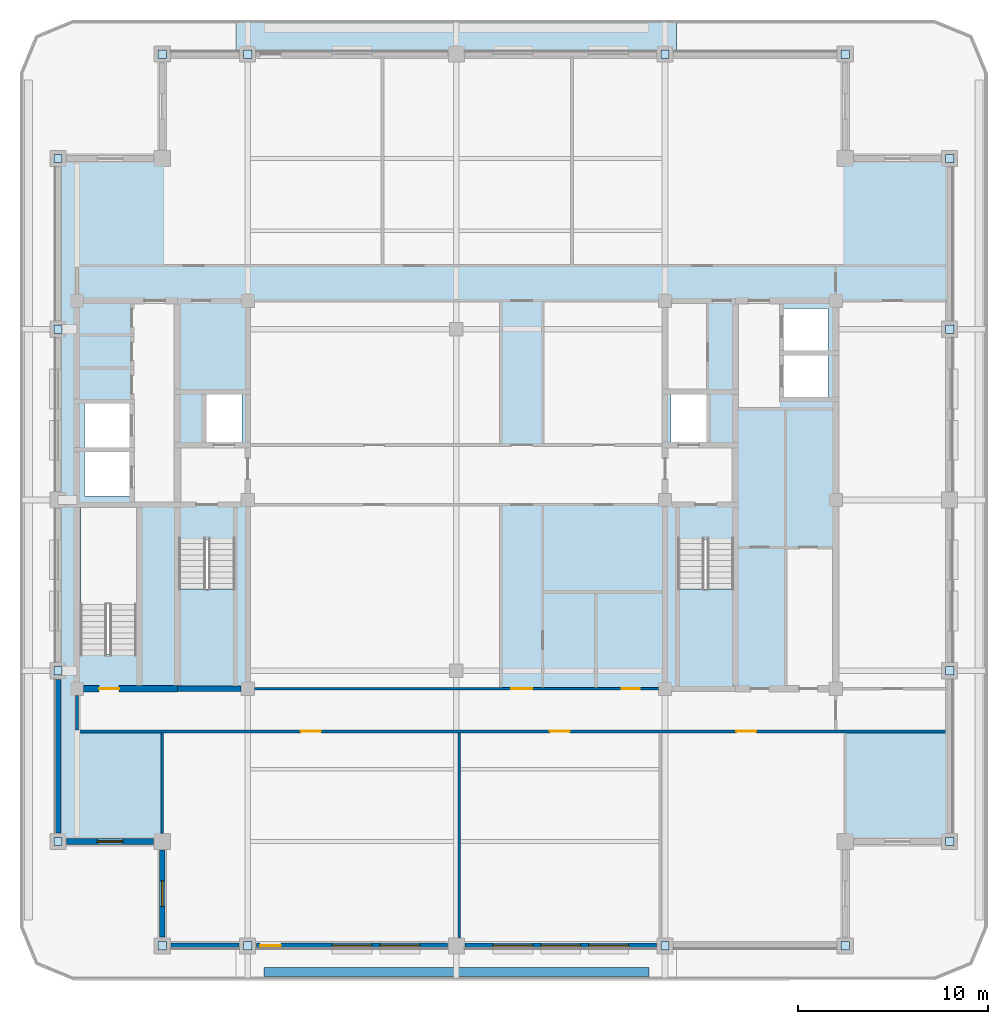
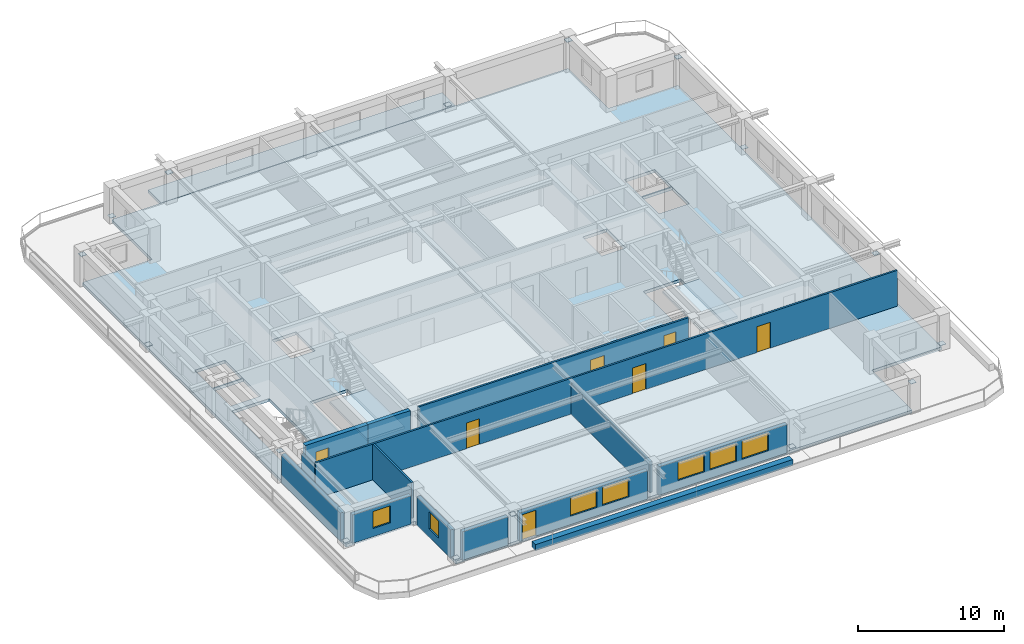
# One storey, part 2 of 11: 16 plates, 14 walls, 7 doors, 7 windows, 4 slabs, 14 openings, 2 elements without a shape of their own.
"""IFC4 building model written with IfcOpenShell, lengths in metres."""

from ifc_helpers import new_model, si_unit, direction, frame, frame_2d, origin, origin_2d, place, context, subcontext, project, spatial, polyline, rectangle, outline, extrude, material, layer, layer_set, type_object, element, fill, aggregate, save


model = new_model("IFC4")

# Units and contexts
model_context = context("Model", 3, precision=1e-05, world=origin(), true_north=direction((0.0, 1.0)))
body_context = subcontext(model_context, "Body", "Model", "MODEL_VIEW")
ifc_project = project(units=[si_unit("LENGTHUNIT", "METRE"), si_unit("AREAUNIT", "SQUARE_METRE"), si_unit("VOLUMEUNIT", "CUBIC_METRE"), si_unit("PLANEANGLEUNIT", "RADIAN"), si_unit("MASSUNIT", "GRAM", prefix="KILO")], contexts=[model_context])

# Site, building, storey
site_placement = place(None, origin())
site = spatial("IfcSite", under=ifc_project, at=site_placement, CompositionType="ELEMENT")
building_placement = place(site_placement, origin())
building = spatial("IfcBuilding", under=site, at=building_placement, Name="Zulmaris Gate Convention Tower", CompositionType="ELEMENT")
storey_placement = place(building_placement, frame((0.0, 0.0, 242.969970703125)))
storey = spatial("IfcBuildingStorey", under=building, at=storey_placement, Name="L64", CompositionType="ELEMENT", Elevation=242.969970703125)

# Plates
ifc_material_1 = material(Name="Steel S460", Category="steel")
ifc_layer_1 = layer(ifc_material_1, 0.02490234375, Name="Steel S460")
ifc_layer_set_1 = layer_set([ifc_layer_1], Name="Steel S460")
plate_type = type_object("IfcPlateType", Name="NP-CAP-440", PredefinedType="USERDEFINED", material=ifc_layer_set_1)
for number, where, z_axis, x_axis, name in (
    (1, (-21.0, -18.0, 0.28759765625), (0.0, 0.0, 1.0), (1.0, 0.0, 0.0), "L64 Steel Node Plate PBR-L64-SW-W-CAP"),
    (2, (-21.0, -9.0, 2.34765625), (0.0, 0.0, 1.0), (1.0, 0.0, 0.0), "L64 Steel Node Plate PBR-L64-SW-W-CAPB"),
    (3, (-21.0, 9.0, 0.28759765625), (0.0, 0.0, 1.0), (1.0, 0.0, 0.0), "L64 Steel Node Plate PBR-L64-NW-W-CAP"),
    (4, (-21.0, 18.0, 2.34765625), (0.0, 0.0, 1.0), (1.0, 0.0, 0.0), "L64 Steel Node Plate PBR-L64-NW-W-CAPB"),
    (5, (26.0, -18.0, 0.28759765625), (0.0, 0.0, 1.0), (1.0, 0.0, 0.0), "L64 Steel Node Plate PBR-L64-SE-E-CAP"),
    (6, (26.0, -9.0, 2.34765625), (0.0, 0.0, 1.0), (1.0, 0.0, 0.0), "L64 Steel Node Plate PBR-L64-SE-E-CAPB"),
    (7, (26.0, 9.0, 0.28759765625), (0.0, 0.0, 1.0), (1.0, 0.0, 0.0), "L64 Steel Node Plate PBR-L64-NE-E-CAP"),
    (8, (26.0, 18.0, 2.34765625), (0.0, 0.0, 1.0), (1.0, 0.0, 0.0), "L64 Steel Node Plate PBR-L64-NE-E-CAPB"),
    (9, (-15.5, -23.5, 0.28759765625), (0.0, 0.0, 1.0), (1.0, 0.0, 0.0), "L64 Steel Node Plate PBR-L64-SW-S-CAP"),
    (10, (-11.0, -23.5, 2.34765625), (0.0, 0.0, 1.0), (1.0, 0.0, 0.0), "L64 Steel Node Plate PBR-L64-SW-S-CAPB"),
    (11, (11.0, -23.5, 0.28759765625), (0.0, 0.0, 1.0), (1.0, 0.0, 0.0), "L64 Steel Node Plate PBR-L64-SE-S-CAP"),
    (12, (20.5, -23.5, 2.34765625), (0.0, 0.0, 1.0), (1.0, 0.0, 0.0), "L64 Steel Node Plate PBR-L64-SE-S-CAPB"),
    (13, (-15.5, 23.5, 0.28759765625), (0.0, 0.0, 1.0), (1.0, 0.0, 0.0), "L64 Steel Node Plate PBR-L64-NW-N-CAP"),
    (14, (-11.0, 23.5, 2.34765625), (0.0, 0.0, 1.0), (1.0, 0.0, 0.0), "L64 Steel Node Plate PBR-L64-NW-N-CAPB"),
    (15, (11.0, 23.5, 0.28759765625), (0.0, 0.0, 1.0), (1.0, 0.0, 0.0), "L64 Steel Node Plate PBR-L64-NE-N-CAP"),
    (16, (20.5, 23.5, 2.34765625), (0.0, 0.0, 1.0), (1.0, 0.0, 0.0), "L64 Steel Node Plate PBR-L64-NE-N-CAPB"),
):
    element("IfcPlate", number, at=place(storey_placement, frame(where, z_axis=z_axis, x_axis=x_axis)), inside=storey, type_object=plate_type, Name=name, ObjectType="FLANGE PLATE", PredefinedType="USERDEFINED", context=body_context, shape_type="SweptSolid", body=[
        extrude(rectangle(XDim=0.43994140625, YDim=0.43994140625, at=origin_2d()), origin(), (0.0, 0.0, 1.0), 0.02490234375),
    ])

# Slabs
ifc_material_2 = material(Name="Precast concrete C50/60", Category="concrete")
ifc_layer_2 = layer(ifc_material_2, 0.260009765625, Name="Precast concrete C50/60")
ifc_layer_set_2 = layer_set([ifc_layer_2], Name="Precast concrete C50/60")
slab_type_1 = type_object("IfcSlabType", Name="SL-BAL-260", PredefinedType="FLOOR", material=ifc_layer_set_2)
slab_1_placement = place(storey_placement, frame((0.0, 0.0, -0.25)))
element("IfcSlab", 17, at=slab_1_placement, inside=storey, type_object=slab_type_1, Name="L64 North Tree-Balcony Planter Slab", PredefinedType="FLOOR", context=body_context, shape_type="SweptSolid", body=[
    extrude(outline(polyline([(11.597900390625, 25.300048828125), (11.597900390625, 23.5), (-11.597900390625, 23.5), (-11.597900390625, 25.300048828125), (11.597900390625, 25.300048828125)])), origin(), (0.0, 0.0, 1.0), 0.260009765625),
])
ifc_material_3 = material(Name="Concrete C50/60", Category="concrete")
ifc_layer_3 = layer(ifc_material_3, 0.25, Name="Concrete C50/60")
ifc_layer_set_3 = layer_set([ifc_layer_3], Name="Concrete C50/60")
slab_type_2 = type_object("IfcSlabType", Name="SL-FLR-250", PredefinedType="FLOOR", material=ifc_layer_set_3)
slab_2_placement = place(storey_placement, frame((0.0, 0.0, -0.25)))
element("IfcSlab", 18, at=slab_2_placement, inside=storey, type_object=slab_type_2, Name="L64 Shifted Notched-Square Structural Floor Slab", PredefinedType="FLOOR", context=body_context, shape_type="SweptSolid", body=[
    extrude(outline(polyline([(-15.5, -23.5), (20.5, -23.5), (20.5, -18.0), (26.0, -18.0), (26.0, 18.0), (20.5, 18.0), (20.5, 23.5), (-15.5, 23.5), (-15.5, 18.0), (-21.0, 18.0), (-21.0, -18.0), (-15.5, -18.0), (-15.5, -23.5)]), holes=[polyline([(-14.6201171875, -2.080078125), (-14.6201171875, -9.85009765625), (-11.659912109375, -9.85009765625), (-11.659912109375, -2.080078125), (-14.6201171875, -2.080078125)]), polyline([(11.659912109375, -2.080078125), (11.659912109375, -9.85009765625), (14.6201171875, -9.85009765625), (14.6201171875, -2.080078125), (11.659912109375, -2.080078125)]), polyline([(-16.860107421875, -8.1201171875), (-16.860107421875, -0.35009765625), (-19.820068359375, -0.35009765625), (-19.820068359375, -8.1201171875), (-16.860107421875, -8.1201171875)]), polyline([(-13.199951171875, 3.0), (-11.300048828125, 3.0), (-11.300048828125, 5.60009765625), (-13.199951171875, 5.60009765625), (-13.199951171875, 3.0)]), polyline([(11.300048828125, 3.0), (13.199951171875, 3.0), (13.199951171875, 5.60009765625), (11.300048828125, 5.60009765625), (11.300048828125, 3.0)]), polyline([(17.199951171875, 5.39990234375), (19.60009765625, 5.39990234375), (19.60009765625, 7.699951171875), (17.199951171875, 7.699951171875), (17.199951171875, 5.39990234375)]), polyline([(17.199951171875, 7.800048828125), (19.60009765625, 7.800048828125), (19.60009765625, 10.10009765625), (17.199951171875, 10.10009765625), (17.199951171875, 7.800048828125)]), polyline([(-19.60009765625, 0.199951171875), (-17.199951171875, 0.199951171875), (-17.199951171875, 2.60009765625), (-19.60009765625, 2.60009765625), (-19.60009765625, 0.199951171875)]), polyline([(-19.60009765625, 2.699951171875), (-17.199951171875, 2.699951171875), (-17.199951171875, 5.10009765625), (-19.60009765625, 5.10009765625), (-19.60009765625, 2.699951171875)])]), origin(), (0.0, 0.0, 1.0), 0.25),
])

# Stair, slab
ifc_material_4 = material(Name="Concrete C45/55", Category="concrete")
stair_type = type_object("IfcStairType", Name="ST-CORE-DOGLEG", PredefinedType="HALF_TURN_STAIR", material=ifc_material_4)
stair_1_placement = place(storey_placement, origin())
stair_1 = element("IfcStair", 19, at=stair_1_placement, inside=storey, type_object=stair_type, Name="L64 Core Exit Stair ST-1", PredefinedType="HALF_TURN_STAIR")
ifc_layer_4 = layer(ifc_material_4, 0.199951171875, Name="Concrete C45/55")
ifc_layer_set_4 = layer_set([ifc_layer_4], Name="Concrete C45/55")
slab_type_3 = type_object("IfcSlabType", Name="SL-LND-200", PredefinedType="LANDING", material=ifc_layer_set_4)
slab_3_placement = place(storey_placement, frame((0.0, 0.0, 1.4150390625)))
slab_3 = element("IfcSlab", 20, at=slab_3_placement, type_object=slab_type_3, Name="ST-1 landing 1", PredefinedType="LANDING", context=body_context, shape_type="SweptSolid", body=[
    extrude(outline(polyline([(-14.6201171875, -4.699951171875), (-14.6201171875, -9.85009765625), (-11.659912109375, -9.85009765625), (-11.659912109375, -4.699951171875), (-14.6201171875, -4.699951171875)])), origin(), (0.0, 0.0, 1.0), 0.199951171875),
])
aggregate(stair_1, [slab_3])

stair_2_placement = place(storey_placement, origin())
stair_2 = element("IfcStair", 21, at=stair_2_placement, inside=storey, type_object=stair_type, Name="L64 Core Exit Stair ST-2", PredefinedType="HALF_TURN_STAIR")
slab_4_placement = place(storey_placement, frame((0.0, 0.0, 1.4150390625)))
slab_4 = element("IfcSlab", 22, at=slab_4_placement, type_object=slab_type_3, Name="ST-2 landing 1", PredefinedType="LANDING", context=body_context, shape_type="SweptSolid", body=[
    extrude(outline(polyline([(11.659912109375, -4.699951171875), (11.659912109375, -9.85009765625), (14.6201171875, -9.85009765625), (14.6201171875, -4.699951171875), (11.659912109375, -4.699951171875)])), origin(), (0.0, 0.0, 1.0), 0.199951171875),
])
aggregate(stair_2, [slab_4])

# Wall
ifc_layer_5 = layer(ifc_material_3, 0.300048828125, Name="Concrete C50/60")
ifc_layer_set_5 = layer_set([ifc_layer_5], Name="Concrete C50/60")
wall_type_1 = type_object("IfcWallType", Name="CORE-300", PredefinedType="SHEAR", material=ifc_layer_set_5)
wall_1_placement = place(storey_placement, frame((-14.699951171875, -9.949951171875, 0.0), z_axis=(0.0, 0.0, 1.0), x_axis=(1.0, 0.0, 0.0)))
element("IfcWall", 23, at=wall_1_placement, inside=storey, type_object=wall_type_1, Name="WL-L64-002", PredefinedType="SHEAR", context=body_context, shape_type="SweptSolid", body=[
    extrude(rectangle(XDim=3.345947265625, YDim=0.300048828125, at=frame_2d((1.6728515625, 0.0))), origin(), (0.0, 0.0, 1.0), 2.97998046875),
])

# Wall, opening, door
ifc_material_5 = material(Name="Concrete C55/67", Category="concrete")
ifc_layer_6 = layer(ifc_material_5, 0.35009765625, Name="Concrete C55/67")
ifc_layer_set_6 = layer_set([ifc_layer_6], Name="Concrete C55/67")
wall_type_2 = type_object("IfcWallType", Name="CORE-350", PredefinedType="SHEAR", material=ifc_layer_set_6)
wall_2_placement = place(storey_placement, frame((-19.64599609375, -9.949951171875, 0.0), z_axis=(0.0, 0.0, 1.0), x_axis=(1.0, 0.0, 0.0)))
wall_2 = element("IfcWall", 24, at=wall_2_placement, inside=storey, type_object=wall_type_2, Name="WL-L64-001", PredefinedType="SHEAR", context=body_context, shape_type="SweptSolid", body=[
    extrude(rectangle(XDim=4.946044921875, YDim=0.35009765625, at=frame_2d((2.47314453125, 0.0))), origin(), (0.0, 0.0, 1.0), 2.97998046875),
])
opening_1_placement = place(wall_2_placement, frame((0.821044921875, 0.0, 0.0)))
opening_1 = element("IfcOpeningElement", 25, at=opening_1_placement, cuts=wall_2, Name="Opening D-09", PredefinedType="OPENING", context=body_context, shape_type="SweptSolid", body=[
    extrude(rectangle(XDim=1.050048828125, YDim=2.14990234375, at=frame_2d((0.52490234375, 1.074951171875))), frame((0.0, 0.18505859375, 0.0), z_axis=(0.0, -1.0, 0.0), x_axis=(1.0, 0.0, 0.0)), (0.0, 0.0, 1.0), 0.3701171875),
])
ifc_material_6 = material(Name="Fire-Rated Steel", Category="steel")
door_type_1 = type_object("IfcDoorType", Name="DR-1050-FD", OperationType="NOTDEFINED", PredefinedType="DOOR", material=ifc_material_6)
door_1_placement = place(opening_1_placement, origin())
door_1 = element("IfcDoor", 26, at=door_1_placement, inside=storey, type_object=door_type_1, Name="L64 Exit Stair ST-3 Door 10", OperationType="SINGLE_SWING_RIGHT", OverallHeight=2.14990234375, OverallWidth=1.050048828125, PredefinedType="DOOR", context=body_context, shape_type="SweptSolid", body=[
    extrude(rectangle(XDim=1.050048828125, YDim=2.14990234375, at=frame_2d((0.52490234375, 1.074951171875))), frame((0.0, 0.02490234375, 0.0), z_axis=(0.0, -1.0, 0.0), x_axis=(1.0, 0.0, 0.0)), (0.0, 0.0, 1.0), 0.050048828125),
])
fill(opening_1, door_1)

# Wall, openings, doors
ifc_material_7 = material(Name="Gypsum Metal Stud Partition")
ifc_layer_7 = layer(ifc_material_7, 0.14990234375, Name="Gypsum Metal Stud Partition")
ifc_layer_set_7 = layer_set([ifc_layer_7], Name="Gypsum Metal Stud Partition")
wall_type_3 = type_object("IfcWallType", Name="PART-150", PredefinedType="PARTITIONING", material=ifc_layer_set_7)
wall_3_placement = place(storey_placement, frame((-20.074951171875, -12.199951171875, 0.0), z_axis=(0.0, 0.0, 1.0), x_axis=(1.0, 0.0, 0.0)))
wall_3 = element("IfcWall", 27, at=wall_3_placement, inside=storey, type_object=wall_type_3, Name="WL-L64-019", PredefinedType="PARTITIONING", context=body_context, shape_type="SweptSolid", body=[
    extrude(rectangle(XDim=45.909912109375, YDim=0.14990234375, at=frame_2d((22.955078125, 0.0))), origin(), (0.0, 0.0, 1.0), 2.97998046875),
])
opening_2_placement = place(wall_3_placement, frame((11.8798828125, 0.0, 0.0)))
opening_2 = element("IfcOpeningElement", 28, at=opening_2_placement, cuts=wall_3, Name="Opening D-09", PredefinedType="OPENING", context=body_context, shape_type="SweptSolid", body=[
    extrude(rectangle(XDim=1.050048828125, YDim=2.14990234375, at=frame_2d((0.52490234375, 1.074951171875))), frame((0.0, 0.0849609375, 0.0), z_axis=(0.0, -1.0, 0.0), x_axis=(1.0, 0.0, 0.0)), (0.0, 0.0, 1.0), 0.169921875),
])
opening_3_placement = place(wall_3_placement, frame((25.0, 0.0, 0.0)))
opening_3 = element("IfcOpeningElement", 29, at=opening_3_placement, cuts=wall_3, Name="Opening D-09", PredefinedType="OPENING", context=body_context, shape_type="SweptSolid", body=[
    extrude(rectangle(XDim=1.050048828125, YDim=2.14990234375, at=frame_2d((0.52490234375, 1.074951171875))), frame((0.0, 0.0849609375, 0.0), z_axis=(0.0, -1.0, 0.0), x_axis=(1.0, 0.0, 0.0)), (0.0, 0.0, 1.0), 0.169921875),
])
opening_4_placement = place(wall_3_placement, frame((34.830078125, 0.0, 0.0)))
opening_4 = element("IfcOpeningElement", 30, at=opening_4_placement, cuts=wall_3, Name="Opening D-09", PredefinedType="OPENING", context=body_context, shape_type="SweptSolid", body=[
    extrude(rectangle(XDim=1.050048828125, YDim=2.14990234375, at=frame_2d((0.52490234375, 1.074951171875))), frame((0.0, 0.0849609375, 0.0), z_axis=(0.0, -1.0, 0.0), x_axis=(1.0, 0.0, 0.0)), (0.0, 0.0, 1.0), 0.169921875),
])
door_2_placement = place(opening_2_placement, origin())
door_2 = element("IfcDoor", 31, at=door_2_placement, inside=storey, type_object=door_type_1, Name="L64 Executive Boardroom Door 31", OperationType="SINGLE_SWING_LEFT", OverallHeight=2.14990234375, OverallWidth=1.050048828125, PredefinedType="DOOR", context=body_context, shape_type="SweptSolid", body=[
    extrude(rectangle(XDim=1.050048828125, YDim=2.14990234375, at=frame_2d((0.52490234375, 1.074951171875))), frame((0.0, 0.02490234375, 0.0), z_axis=(0.0, -1.0, 0.0), x_axis=(1.0, 0.0, 0.0)), (0.0, 0.0, 1.0), 0.050048828125),
])
fill(opening_2, door_2)
door_3_placement = place(opening_3_placement, origin())
door_3 = element("IfcDoor", 32, at=door_3_placement, inside=storey, type_object=door_type_1, Name="L64 Corporate Strategy Office Door 32", OperationType="SINGLE_SWING_RIGHT", OverallHeight=2.14990234375, OverallWidth=1.050048828125, PredefinedType="DOOR", context=body_context, shape_type="SweptSolid", body=[
    extrude(rectangle(XDim=1.050048828125, YDim=2.14990234375, at=frame_2d((0.52490234375, 1.074951171875))), frame((0.0, 0.02490234375, 0.0), z_axis=(0.0, -1.0, 0.0), x_axis=(1.0, 0.0, 0.0)), (0.0, 0.0, 1.0), 0.050048828125),
])
fill(opening_3, door_3)
door_4_placement = place(opening_4_placement, origin())
door_4 = element("IfcDoor", 33, at=door_4_placement, inside=storey, type_object=door_type_1, Name="L64 Project Advisory Studio Door 33", OperationType="SINGLE_SWING_LEFT", OverallHeight=2.14990234375, OverallWidth=1.050048828125, PredefinedType="DOOR", context=body_context, shape_type="SweptSolid", body=[
    extrude(rectangle(XDim=1.050048828125, YDim=2.14990234375, at=frame_2d((0.52490234375, 1.074951171875))), frame((0.0, 0.02490234375, 0.0), z_axis=(0.0, -1.0, 0.0), x_axis=(1.0, 0.0, 0.0)), (0.0, 0.0, 1.0), 0.050048828125),
])
fill(opening_4, door_4)

wall_4_placement = place(storey_placement, frame((-10.64404296875, -9.949951171875, 0.0), z_axis=(0.0, 0.0, 1.0), x_axis=(1.0, 0.0, 0.0)))
wall_4 = element("IfcWall", 34, at=wall_4_placement, inside=storey, type_object=wall_type_3, Name="WL-L64-020", PredefinedType="PARTITIONING", context=body_context, shape_type="SweptSolid", body=[
    extrude(rectangle(XDim=21.2880859375, YDim=0.14990234375, at=frame_2d((10.64404296875, 0.0))), origin(), (0.0, 0.0, 1.0), 2.97998046875),
])
opening_5_placement = place(wall_4_placement, frame((13.5439453125, 0.0, 0.0)))
opening_5 = element("IfcOpeningElement", 35, at=opening_5_placement, cuts=wall_4, Name="Opening D-08", PredefinedType="OPENING", context=body_context, shape_type="SweptSolid", body=[
    extrude(rectangle(XDim=1.10009765625, YDim=2.14990234375, at=frame_2d((0.550048828125, 1.074951171875))), frame((0.0, 0.0849609375, 0.0), z_axis=(0.0, -1.0, 0.0), x_axis=(1.0, 0.0, 0.0)), (0.0, 0.0, 1.0), 0.169921875),
])
opening_6_placement = place(wall_4_placement, frame((19.34912109375, 0.0, 0.0)))
opening_6 = element("IfcOpeningElement", 36, at=opening_6_placement, cuts=wall_4, Name="Opening D-11", PredefinedType="OPENING", context=body_context, shape_type="SweptSolid", body=[
    extrude(rectangle(XDim=0.949951171875, YDim=2.14990234375, at=frame_2d((0.47509765625, 1.074951171875))), frame((0.0, 0.0849609375, 0.0), z_axis=(0.0, -1.0, 0.0), x_axis=(1.0, 0.0, 0.0)), (0.0, 0.0, 1.0), 0.169921875),
])
door_type_2 = type_object("IfcDoorType", Name="DR-1100-FD", OperationType="NOTDEFINED", PredefinedType="DOOR", material=ifc_material_6)
door_5_placement = place(opening_5_placement, origin())
door_5 = element("IfcDoor", 37, at=door_5_placement, inside=storey, type_object=door_type_2, Name="L64 Exec South Link Door 25", OperationType="SINGLE_SWING_LEFT", OverallHeight=2.14990234375, OverallWidth=1.10009765625, PredefinedType="DOOR", context=body_context, shape_type="SweptSolid", body=[
    extrude(rectangle(XDim=1.10009765625, YDim=2.14990234375, at=frame_2d((0.550048828125, 1.074951171875))), frame((0.0, 0.02490234375, 0.0), z_axis=(0.0, -1.0, 0.0), x_axis=(1.0, 0.0, 0.0)), (0.0, 0.0, 1.0), 0.050048828125),
])
fill(opening_5, door_5)
ifc_material_8 = material(Name="Fire-Rated Timber", Category="wood")
door_type_3 = type_object("IfcDoorType", Name="DR-950-FD", OperationType="NOTDEFINED", PredefinedType="DOOR", material=ifc_material_8)
door_6_placement = place(opening_6_placement, origin())
door_6 = element("IfcDoor", 38, at=door_6_placement, inside=storey, type_object=door_type_3, Name="L64 Vault Store Door 39", OperationType="SINGLE_SWING_LEFT", OverallHeight=2.14990234375, OverallWidth=0.949951171875, PredefinedType="DOOR", context=body_context, shape_type="SweptSolid", body=[
    extrude(rectangle(XDim=0.949951171875, YDim=2.14990234375, at=frame_2d((0.47509765625, 1.074951171875))), frame((0.0, 0.02490234375, 0.0), z_axis=(0.0, -1.0, 0.0), x_axis=(1.0, 0.0, 0.0)), (0.0, 0.0, 1.0), 0.050048828125),
])
fill(opening_6, door_6)

# Walls
wall_5_placement = place(storey_placement, frame((-20.0, -12.1220703125, 0.0), z_axis=(0.0, 0.0, 1.0), x_axis=(0.0, 1.0, 0.0)))
element("IfcWall", 39, at=wall_5_placement, inside=storey, type_object=wall_type_3, Name="WL-L64-064", PredefinedType="PARTITIONING", context=body_context, shape_type="SweptSolid", body=[
    extrude(rectangle(XDim=1.816162109375, YDim=0.14990234375, at=frame_2d((0.908203125, 0.0))), origin(), (0.0, 0.0, 1.0), 2.570068359375),
])
wall_6_placement = place(storey_placement, frame((-15.5, -17.569091796875, 0.0), z_axis=(0.0, 0.0, 1.0), x_axis=(0.0, 1.0, 0.0)))
element("IfcWall", 40, at=wall_6_placement, inside=storey, type_object=wall_type_3, Name="WL-L64-069", PredefinedType="PARTITIONING", context=body_context, shape_type="SweptSolid", body=[
    extrude(rectangle(XDim=5.291015625, YDim=0.14990234375, at=frame_2d((2.6455078125, 0.0))), origin(), (0.0, 0.0, 1.0), 2.97998046875),
])
wall_7_placement = place(storey_placement, frame((0.14990234375, -23.069091796875, 0.0), z_axis=(0.0, 0.0, 1.0), x_axis=(0.0, 1.0, 0.0)))
element("IfcWall", 41, at=wall_7_placement, inside=storey, type_object=wall_type_3, Name="WL-L64-071", PredefinedType="PARTITIONING", context=body_context, shape_type="SweptSolid", body=[
    extrude(rectangle(XDim=10.791015625, YDim=0.14990234375, at=frame_2d((5.3955078125, 0.0))), origin(), (0.0, 0.0, 1.0), 2.570068359375),
])
ifc_material_9 = material(Name="Botanical Green Glazed Precast Concrete C40/50", Category="concrete")
ifc_layer_8 = layer(ifc_material_9, 0.419921875, Name="Botanical Green Glazed Precast Concrete C40/50")
ifc_layer_set_8 = layer_set([ifc_layer_8], Name="Botanical Green Glazed Precast Concrete C40/50")
wall_type_4 = type_object("IfcWallType", Name="PLANTER-CURB-200", PredefinedType="PARAPET", material=ifc_layer_set_8)
wall_8_placement = place(storey_placement, frame((-10.14990234375, -24.8798828125, -0.0400390625), z_axis=(0.0, 0.0, 1.0), x_axis=(1.0, 0.0, 0.0)))
element("IfcWall", 42, at=wall_8_placement, inside=storey, type_object=wall_type_4, Name="L64 Full-Length Balcony Tree Planter Trough", PredefinedType="PARAPET", context=body_context, shape_type="SweptSolid", body=[
    extrude(rectangle(XDim=20.2998046875, YDim=0.47998046875, at=frame_2d((10.14990234375, 0.0))), origin(), (0.0, 0.0, 1.0), 0.52001953125),
])

# Wall, opening, window
ifc_material_10 = material(Name="Precast concrete C40/50", Category="concrete")
ifc_layer_9 = layer(ifc_material_10, 0.300048828125, Name="Precast concrete C40/50")
ifc_layer_set_9 = layer_set([ifc_layer_9], Name="Precast concrete C40/50")
wall_type_5 = type_object("IfcWallType", Name="PRECAST-PIER-300", PredefinedType="STANDARD", material=ifc_layer_set_9)
wall_9_placement = place(storey_placement, frame((-20.544921875, -18.0, 0.0), z_axis=(0.0, 0.0, 1.0), x_axis=(1.0, 0.0, 0.0)))
wall_9 = element("IfcWall", 43, at=wall_9_placement, inside=storey, type_object=wall_type_5, Name="EW-L64-NOTCH-SW1_0", PredefinedType="STANDARD", context=body_context, shape_type="SweptSolid", body=[
    extrude(rectangle(XDim=4.58984375, YDim=0.300048828125, at=frame_2d((2.294921875, 0.0))), origin(), (0.0, 0.0, 1.0), 2.3720703125),
])
opening_7_placement = place(wall_9_placement, frame((1.6201171875, 0.0, 0.679931640625)))
opening_7 = element("IfcOpeningElement", 44, at=opening_7_placement, cuts=wall_9, Name="Opening W-10", PredefinedType="OPENING", context=body_context, shape_type="SweptSolid", body=[
    extrude(rectangle(XDim=1.35009765625, YDim=1.419921875, at=frame_2d((0.675048828125, 0.7099609375))), frame((0.0, 0.16015625, 0.0), z_axis=(0.0, -1.0, 0.0), x_axis=(1.0, 0.0, 0.0)), (0.0, 0.0, 1.0), 0.320068359375),
])
ifc_material_11 = material(Name="Low-E Laminated Double Glazing in Aluminium Frame", Category="aluminium")
window_type_1 = type_object("IfcWindowType", Name="WIN-1350x2000", PartitioningType="SINGLE_PANEL", PredefinedType="WINDOW", material=ifc_material_11)
window_1_placement = place(opening_7_placement, origin())
window_1 = element("IfcWindow", 45, at=window_1_placement, inside=storey, type_object=window_type_1, Name="WN-EW-L64-NOTCH-SW1_0", OverallHeight=1.419921875, OverallWidth=1.35009765625, PartitioningType="SINGLE_PANEL", PredefinedType="WINDOW", context=body_context, shape_type="SweptSolid", body=[
    extrude(rectangle(XDim=1.35009765625, YDim=1.419921875, at=frame_2d((0.675048828125, 0.7099609375))), frame((0.0, 0.030029296875, 0.0), z_axis=(0.0, -1.0, 0.0), x_axis=(1.0, 0.0, 0.0)), (0.0, 0.0, 1.0), 0.06005859375),
])
fill(opening_7, window_1)

wall_10_placement = place(storey_placement, frame((-15.5, -18.455078125, 0.0), z_axis=(0.0, 0.0, 1.0), x_axis=(0.0, -1.0, 0.0)))
wall_10 = element("IfcWall", 46, at=wall_10_placement, inside=storey, type_object=wall_type_5, Name="EW-L64-NOTCH-SW2_0", PredefinedType="STANDARD", context=body_context, shape_type="SweptSolid", body=[
    extrude(rectangle(XDim=4.58984375, YDim=0.300048828125, at=frame_2d((2.294921875, 0.0))), origin(), (0.0, 0.0, 1.0), 2.3720703125),
])
opening_8_placement = place(wall_10_placement, frame((1.6201171875, 0.0, 0.679931640625)))
opening_8 = element("IfcOpeningElement", 47, at=opening_8_placement, cuts=wall_10, Name="Opening W-10", PredefinedType="OPENING", context=body_context, shape_type="SweptSolid", body=[
    extrude(rectangle(XDim=1.35009765625, YDim=1.419921875, at=frame_2d((0.675048828125, 0.7099609375))), frame((0.0, 0.16015625, 0.0), z_axis=(0.0, -1.0, 0.0), x_axis=(1.0, 0.0, 0.0)), (0.0, 0.0, 1.0), 0.320068359375),
])
window_2_placement = place(opening_8_placement, origin())
window_2 = element("IfcWindow", 48, at=window_2_placement, inside=storey, type_object=window_type_1, Name="WN-EW-L64-NOTCH-SW2_0", OverallHeight=1.419921875, OverallWidth=1.35009765625, PartitioningType="SINGLE_PANEL", PredefinedType="WINDOW", context=body_context, shape_type="SweptSolid", body=[
    extrude(rectangle(XDim=1.35009765625, YDim=1.419921875, at=frame_2d((0.675048828125, 0.7099609375))), frame((0.0, 0.030029296875, 0.0), z_axis=(0.0, -1.0, 0.0), x_axis=(1.0, 0.0, 0.0)), (0.0, 0.0, 1.0), 0.06005859375),
])
fill(opening_8, window_2)

# Wall
wall_11_placement = place(storey_placement, frame((-15.044921875, -23.5, 0.0), z_axis=(0.0, 0.0, 1.0), x_axis=(1.0, 0.0, 0.0)))
element("IfcWall", 49, at=wall_11_placement, inside=storey, type_object=wall_type_5, Name="EW-L64-S-0_0", PredefinedType="STANDARD", context=body_context, shape_type="SweptSolid", body=[
    extrude(rectangle(XDim=3.58984375, YDim=0.300048828125, at=frame_2d((1.794921875, 0.0))), origin(), (0.0, 0.0, 1.0), 2.3720703125),
])

# Wall, openings, door, windows
wall_12_placement = place(storey_placement, frame((-10.544921875, -23.5, 0.0), z_axis=(0.0, 0.0, 1.0), x_axis=(1.0, 0.0, 0.0)))
wall_12 = element("IfcWall", 50, at=wall_12_placement, inside=storey, type_object=wall_type_5, Name="EW-L64-S-1_0", PredefinedType="STANDARD", context=body_context, shape_type="SweptSolid", body=[
    extrude(rectangle(XDim=10.08984375, YDim=0.300048828125, at=frame_2d((5.044921875, 0.0))), origin(), (0.0, 0.0, 1.0), 2.3720703125),
])
opening_9_placement = place(wall_12_placement, frame((0.199951171875, 0.0, 0.0)))
opening_9 = element("IfcOpeningElement", 51, at=opening_9_placement, cuts=wall_12, Name="Opening D-04", PredefinedType="OPENING", context=body_context, shape_type="SweptSolid", body=[
    extrude(rectangle(XDim=1.10009765625, YDim=2.14990234375, at=frame_2d((0.550048828125, 1.074951171875))), frame((0.0, 0.16015625, 0.0), z_axis=(0.0, -1.0, 0.0), x_axis=(1.0, 0.0, 0.0)), (0.0, 0.0, 1.0), 0.320068359375),
])
opening_10_placement = place(wall_12_placement, frame((3.9951171875, 0.0, 0.699951171875)))
opening_10 = element("IfcOpeningElement", 52, at=opening_10_placement, cuts=wall_12, Name="Opening W-05", PredefinedType="OPENING", context=body_context, shape_type="SweptSolid", body=[
    extrude(rectangle(XDim=2.10009765625, YDim=1.5, at=frame_2d((1.050048828125, 0.75))), frame((0.0, 0.16015625, 0.0), z_axis=(0.0, -1.0, 0.0), x_axis=(1.0, 0.0, 0.0)), (0.0, 0.0, 1.0), 0.320068359375),
])
opening_11_placement = place(wall_12_placement, frame((6.51806640625, 0.0, 0.699951171875)))
opening_11 = element("IfcOpeningElement", 53, at=opening_11_placement, cuts=wall_12, Name="Opening W-05", PredefinedType="OPENING", context=body_context, shape_type="SweptSolid", body=[
    extrude(rectangle(XDim=2.10009765625, YDim=1.5, at=frame_2d((1.050048828125, 0.75))), frame((0.0, 0.16015625, 0.0), z_axis=(0.0, -1.0, 0.0), x_axis=(1.0, 0.0, 0.0)), (0.0, 0.0, 1.0), 0.320068359375),
])
ifc_material_12 = material(Name="Anodised Aluminium and Laminated Glass", Category="aluminium")
door_type_4 = type_object("IfcDoorType", Name="ED-1100", OperationType="SINGLE_SWING_RIGHT", PredefinedType="DOOR", material=ifc_material_12)
door_7_placement = place(opening_9_placement, origin())
door_7 = element("IfcDoor", 54, at=door_7_placement, inside=storey, type_object=door_type_4, Name="L64 S Planted Terrace Door", OperationType="SINGLE_SWING_RIGHT", OverallHeight=2.14990234375, OverallWidth=1.10009765625, PredefinedType="DOOR", context=body_context, shape_type="SweptSolid", body=[
    extrude(rectangle(XDim=1.10009765625, YDim=2.14990234375, at=frame_2d((0.550048828125, 1.074951171875))), frame((0.0, 0.02490234375, 0.0), z_axis=(0.0, -1.0, 0.0), x_axis=(1.0, 0.0, 0.0)), (0.0, 0.0, 1.0), 0.050048828125),
])
fill(opening_9, door_7)
window_type_2 = type_object("IfcWindowType", Name="WIN-2100x2400", PartitioningType="SINGLE_PANEL", PredefinedType="WINDOW", material=ifc_material_11)
window_3_placement = place(opening_10_placement, origin())
window_3 = element("IfcWindow", 55, at=window_3_placement, inside=storey, type_object=window_type_2, Name="WN-EW-L64-S-1_0-2", OverallHeight=1.5, OverallWidth=2.10009765625, PartitioningType="SINGLE_PANEL", PredefinedType="WINDOW", context=body_context, shape_type="SweptSolid", body=[
    extrude(rectangle(XDim=2.10009765625, YDim=1.5, at=frame_2d((1.050048828125, 0.75))), frame((0.0, 0.030029296875, 0.0), z_axis=(0.0, -1.0, 0.0), x_axis=(1.0, 0.0, 0.0)), (0.0, 0.0, 1.0), 0.06005859375),
])
fill(opening_10, window_3)
window_4_placement = place(opening_11_placement, origin())
window_4 = element("IfcWindow", 56, at=window_4_placement, inside=storey, type_object=window_type_2, Name="WN-EW-L64-S-1_0-3", OverallHeight=1.5, OverallWidth=2.10009765625, PartitioningType="SINGLE_PANEL", PredefinedType="WINDOW", context=body_context, shape_type="SweptSolid", body=[
    extrude(rectangle(XDim=2.10009765625, YDim=1.5, at=frame_2d((1.050048828125, 0.75))), frame((0.0, 0.030029296875, 0.0), z_axis=(0.0, -1.0, 0.0), x_axis=(1.0, 0.0, 0.0)), (0.0, 0.0, 1.0), 0.06005859375),
])
fill(opening_11, window_4)

# Wall, openings, windows
wall_13_placement = place(storey_placement, frame((0.455078125, -23.5, 0.0), z_axis=(0.0, 0.0, 1.0), x_axis=(1.0, 0.0, 0.0)))
wall_13 = element("IfcWall", 57, at=wall_13_placement, inside=storey, type_object=wall_type_5, Name="EW-L64-S-2_0", PredefinedType="STANDARD", context=body_context, shape_type="SweptSolid", body=[
    extrude(rectangle(XDim=10.08984375, YDim=0.300048828125, at=frame_2d((5.044921875, 0.0))), origin(), (0.0, 0.0, 1.0), 2.3720703125),
])
opening_12_placement = place(wall_13_placement, frame((1.471923828125, 0.0, 0.699951171875)))
opening_12 = element("IfcOpeningElement", 58, at=opening_12_placement, cuts=wall_13, Name="Opening W-05", PredefinedType="OPENING", context=body_context, shape_type="SweptSolid", body=[
    extrude(rectangle(XDim=2.10009765625, YDim=1.5, at=frame_2d((1.050048828125, 0.75))), frame((0.0, 0.16015625, 0.0), z_axis=(0.0, -1.0, 0.0), x_axis=(1.0, 0.0, 0.0)), (0.0, 0.0, 1.0), 0.320068359375),
])
opening_13_placement = place(wall_13_placement, frame((3.9951171875, 0.0, 0.699951171875)))
opening_13 = element("IfcOpeningElement", 59, at=opening_13_placement, cuts=wall_13, Name="Opening W-05", PredefinedType="OPENING", context=body_context, shape_type="SweptSolid", body=[
    extrude(rectangle(XDim=2.10009765625, YDim=1.5, at=frame_2d((1.050048828125, 0.75))), frame((0.0, 0.16015625, 0.0), z_axis=(0.0, -1.0, 0.0), x_axis=(1.0, 0.0, 0.0)), (0.0, 0.0, 1.0), 0.320068359375),
])
opening_14_placement = place(wall_13_placement, frame((6.51806640625, 0.0, 0.699951171875)))
opening_14 = element("IfcOpeningElement", 60, at=opening_14_placement, cuts=wall_13, Name="Opening W-05", PredefinedType="OPENING", context=body_context, shape_type="SweptSolid", body=[
    extrude(rectangle(XDim=2.10009765625, YDim=1.5, at=frame_2d((1.050048828125, 0.75))), frame((0.0, 0.16015625, 0.0), z_axis=(0.0, -1.0, 0.0), x_axis=(1.0, 0.0, 0.0)), (0.0, 0.0, 1.0), 0.320068359375),
])
window_5_placement = place(opening_12_placement, origin())
window_5 = element("IfcWindow", 61, at=window_5_placement, inside=storey, type_object=window_type_2, Name="WN-EW-L64-S-2_0-1", OverallHeight=1.5, OverallWidth=2.10009765625, PartitioningType="SINGLE_PANEL", PredefinedType="WINDOW", context=body_context, shape_type="SweptSolid", body=[
    extrude(rectangle(XDim=2.10009765625, YDim=1.5, at=frame_2d((1.050048828125, 0.75))), frame((0.0, 0.030029296875, 0.0), z_axis=(0.0, -1.0, 0.0), x_axis=(1.0, 0.0, 0.0)), (0.0, 0.0, 1.0), 0.06005859375),
])
fill(opening_12, window_5)
window_6_placement = place(opening_13_placement, origin())
window_6 = element("IfcWindow", 62, at=window_6_placement, inside=storey, type_object=window_type_2, Name="WN-EW-L64-S-2_0-2", OverallHeight=1.5, OverallWidth=2.10009765625, PartitioningType="SINGLE_PANEL", PredefinedType="WINDOW", context=body_context, shape_type="SweptSolid", body=[
    extrude(rectangle(XDim=2.10009765625, YDim=1.5, at=frame_2d((1.050048828125, 0.75))), frame((0.0, 0.030029296875, 0.0), z_axis=(0.0, -1.0, 0.0), x_axis=(1.0, 0.0, 0.0)), (0.0, 0.0, 1.0), 0.06005859375),
])
fill(opening_13, window_6)
window_7_placement = place(opening_14_placement, origin())
window_7 = element("IfcWindow", 63, at=window_7_placement, inside=storey, type_object=window_type_2, Name="WN-EW-L64-S-2_0-3", OverallHeight=1.5, OverallWidth=2.10009765625, PartitioningType="SINGLE_PANEL", PredefinedType="WINDOW", context=body_context, shape_type="SweptSolid", body=[
    extrude(rectangle(XDim=2.10009765625, YDim=1.5, at=frame_2d((1.050048828125, 0.75))), frame((0.0, 0.030029296875, 0.0), z_axis=(0.0, -1.0, 0.0), x_axis=(1.0, 0.0, 0.0)), (0.0, 0.0, 1.0), 0.06005859375),
])
fill(opening_14, window_7)

# Wall
wall_14_placement = place(storey_placement, frame((-21.0, -9.455078125, 0.0), z_axis=(0.0, 0.0, 1.0), x_axis=(0.0, -1.0, 0.0)))
element("IfcWall", 64, at=wall_14_placement, inside=storey, type_object=wall_type_5, Name="EW-L64-W-0_0", PredefinedType="STANDARD", context=body_context, shape_type="SweptSolid", body=[
    extrude(rectangle(XDim=8.08984375, YDim=0.300048828125, at=frame_2d((4.044921875, 0.0))), origin(), (0.0, 0.0, 1.0), 2.3720703125),
])

save(model, "model.ifc")
